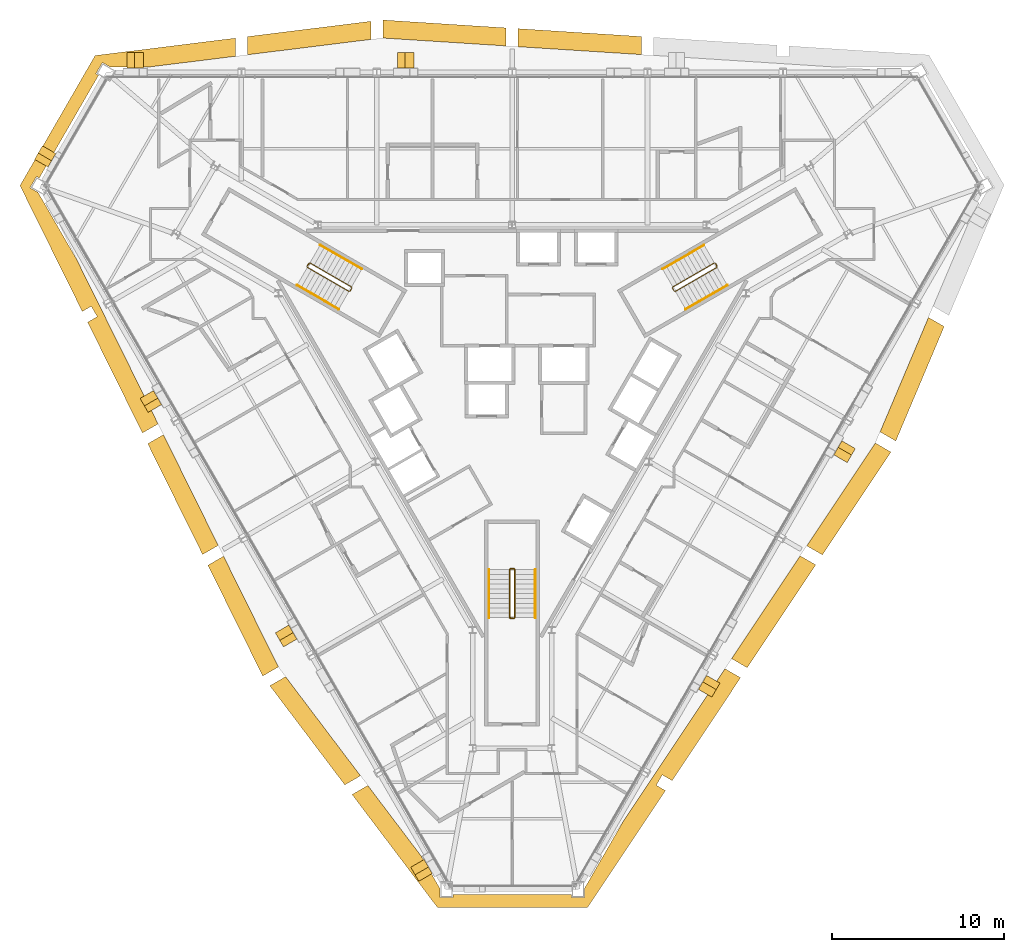
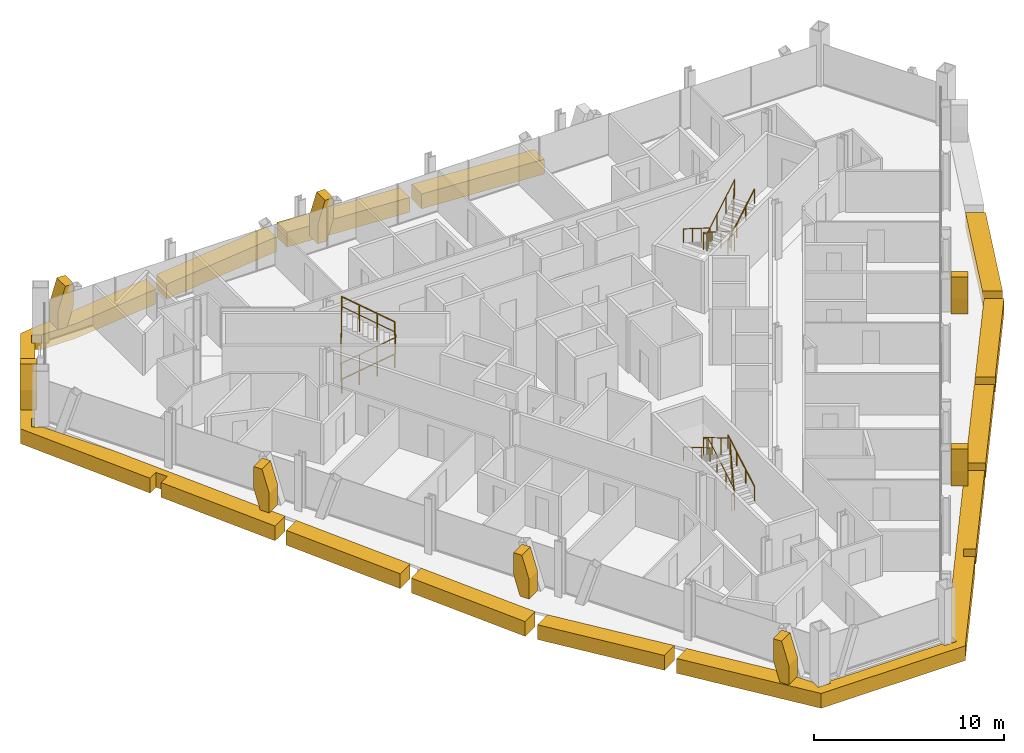
# One storey, part 16 of 17: 19 coverings, 9 railings.
"""IFC4 building model written with IfcOpenShell, lengths in metres."""

from ifc_helpers import new_model, si_unit, direction, frame, origin, origin_2d, place, context, subcontext, project, spatial, polyline, circle, outline, extrude, material, layer, layer_set, type_object, element, save


model = new_model("IFC4")

# Units and contexts
model_context = context("Model", 3, precision=1e-05, world=origin(), true_north=direction((0.0, 1.0)))
body_context = subcontext(model_context, "Body", "Model", "MODEL_VIEW")
ifc_project = project(units=[si_unit("LENGTHUNIT", "METRE"), si_unit("AREAUNIT", "SQUARE_METRE"), si_unit("VOLUMEUNIT", "CUBIC_METRE"), si_unit("PLANEANGLEUNIT", "RADIAN"), si_unit("MASSUNIT", "GRAM", prefix="KILO")], contexts=[model_context])

# Site, building, storey
site_placement = place(None, origin())
site = spatial("IfcSite", under=ifc_project, at=site_placement, CompositionType="ELEMENT")
building_placement = place(site_placement, origin())
building = spatial("IfcBuilding", under=site, at=building_placement, Name="Verrane Prism Tower", CompositionType="ELEMENT")
storey_placement = place(building_placement, frame((0.0, 0.0, 96.39990234375)))
storey = spatial("IfcBuildingStorey", under=building, at=storey_placement, Name="L22", CompositionType="ELEMENT", Elevation=96.39990234375)

# Railings
ifc_material_1 = material(Name="Steel A36 rail and posts, no infill", Category="steel")
railing_type_1 = type_object("IfcRailingType", Name="Stair guard 1100 steel rail and posts", PredefinedType="GUARDRAIL", material=ifc_material_1)
railing_1_placement = place(storey_placement, frame((11.78955078125, 6.97998046875, 0.163818359375)))
element("IfcRailing", 1, at=railing_1_placement, inside=storey, type_object=railing_type_1, Name="Stair 1 guard", PredefinedType="GUARDRAIL", context=body_context, shape_type="SweptSolid", body=[
    extrude(circle(Radius=0.02392578125, at=origin_2d()), frame((0.0, 0.0, 1.076171875), z_axis=(-0.747693913401, -0.431738279637, 0.504535300807), x_axis=(0.500049511043, -0.865996816683, 0.0)), (0.0, 0.0, 1.0), 3.2431640625),
    extrude(circle(Radius=0.02392578125, at=origin_2d()), frame((-2.4248046875, -1.400146484375, 2.71240234375), z_axis=(-0.259601060869, -0.965715946433, 0.0), x_axis=(0.965715946433, -0.259601060869, 0.0)), (0.0, 0.0, 1.0), 0.070556640625),
    extrude(circle(Radius=0.02392578125, at=origin_2d()), frame((-2.443115234375, -1.46826171875, 2.71240234375), z_axis=(0.499158860599, -0.866510491504, 0.0), x_axis=(0.866510491504, 0.499158860599, 0.0)), (0.0, 0.0, 1.0), 0.199951171875),
    extrude(circle(Radius=0.02392578125, at=origin_2d()), frame((-2.34326171875, -1.6416015625, 2.71240234375), z_axis=(0.383552647116, -0.102737316192, 0.917786691313), x_axis=(0.258736085224, 0.965948051503, 0.0)), (0.0, 0.0, 1.0), 0.17822265625),
    extrude(circle(Radius=0.02392578125, at=origin_2d()), frame((-2.27490234375, -1.659912109375, 2.8759765625), z_axis=(0.747665513933, 0.431721881032, 0.504591415616), x_axis=(-0.500049511043, 0.865996816683, 0.0)), (0.0, 0.0, 1.0), 3.2431640625),
    extrude(circle(Radius=0.02392578125, at=origin_2d()), frame((0.14990234375, -0.259765625, 4.51220703125), z_axis=(-0.022593669287, 0.066901613547, -0.997503734436), x_axis=(-0.947430582667, -0.3199613899, 0.0)), (0.0, 0.0, 1.0), 3.609130859375),
    extrude(circle(Radius=0.02392578125, at=origin_2d()), frame((0.068359375, -0.018310546875, 0.912109375), z_axis=(0.499158860599, -0.866510491504, 0.0), x_axis=(0.866510491504, 0.499158860599, 0.0)), (0.0, 0.0, 1.0), 0.199951171875),
    extrude(circle(Radius=0.02099609375, at=origin_2d()), origin(), (0.0, 0.0, 1.0), 1.052001953125),
    extrude(circle(Radius=0.02099609375, at=origin_2d()), frame((-0.808349609375, -0.466796875, 0.54541015625)), (0.0, 0.0, 1.0), 1.052001953125),
    extrude(circle(Radius=0.02099609375, at=origin_2d()), frame((-1.616455078125, -0.933349609375, 1.0908203125)), (0.0, 0.0, 1.0), 1.052001953125),
    extrude(circle(Radius=0.02099609375, at=origin_2d()), frame((-2.4248046875, -1.400146484375, 1.63623046875)), (0.0, 0.0, 1.0), 1.052001953125),
    extrude(circle(Radius=0.02099609375, at=origin_2d()), frame((-2.443115234375, -1.46826171875, 1.63623046875)), (0.0, 0.0, 1.0), 1.052001953125),
    extrude(circle(Radius=0.02099609375, at=origin_2d()), frame((-2.34326171875, -1.6416015625, 1.63623046875)), (0.0, 0.0, 1.0), 1.052001953125),
    extrude(circle(Radius=0.02099609375, at=origin_2d()), frame((-2.27490234375, -1.659912109375, 1.7998046875)), (0.0, 0.0, 1.0), 1.052001953125),
    extrude(circle(Radius=0.02099609375, at=origin_2d()), frame((-1.466552734375, -1.193115234375, 2.34521484375)), (0.0, 0.0, 1.0), 1.052001953125),
    extrude(circle(Radius=0.02099609375, at=origin_2d()), frame((-0.658447265625, -0.7265625, 2.890869140625)), (0.0, 0.0, 1.0), 1.052001953125),
    extrude(circle(Radius=0.02099609375, at=origin_2d()), frame((0.14990234375, -0.259765625, 3.436279296875)), (0.0, 0.0, 1.0), 1.052001953125),
    extrude(circle(Radius=0.02099609375, at=origin_2d()), frame((0.12939453125, -0.199462890625, 2.5361328125)), (0.0, 0.0, 1.0), 1.052001953125),
    extrude(circle(Radius=0.02099609375, at=origin_2d()), frame((0.109130859375, -0.13916015625, 1.63623046875)), (0.0, 0.0, 1.0), 1.052001953125),
    extrude(circle(Radius=0.02099609375, at=origin_2d()), frame((0.0888671875, -0.07861328125, 0.736328125)), (0.0, 0.0, 1.0), 1.052001953125),
    extrude(circle(Radius=0.02099609375, at=origin_2d()), frame((0.068359375, -0.018310546875, -0.163818359375)), (0.0, 0.0, 1.0), 1.052001953125),
    extrude(circle(Radius=0.02099609375, at=origin_2d()), frame((0.168212890625, -0.191650390625, -0.163818359375)), (0.0, 0.0, 1.0), 1.052001953125),
])
railing_2_placement = place(storey_placement, frame((-11.939453125, 6.72021484375, 0.163818359375)))
element("IfcRailing", 2, at=railing_2_placement, inside=storey, type_object=railing_type_1, Name="Stair 2 guard", PredefinedType="GUARDRAIL", context=body_context, shape_type="SweptSolid", body=[
    extrude(circle(Radius=0.02392578125, at=origin_2d()), frame((0.0, 0.0, 1.076171875), z_axis=(0.747693913401, -0.431738279637, 0.504535300807), x_axis=(0.500049511043, 0.865996816683, 0.0)), (0.0, 0.0, 1.0), 3.2431640625),
    extrude(circle(Radius=0.02392578125, at=origin_2d()), frame((2.4248046875, -1.400146484375, 2.71240234375), z_axis=(0.965948051503, 0.258736085224, 0.0), x_axis=(-0.258736085224, 0.965948051503, 0.0)), (0.0, 0.0, 1.0), 0.07080078125),
    extrude(circle(Radius=0.02392578125, at=origin_2d()), frame((2.4931640625, -1.3818359375, 2.71240234375), z_axis=(0.499158860599, 0.866510491504, 0.0), x_axis=(-0.866510491504, 0.499158860599, 0.0)), (0.0, 0.0, 1.0), 0.199951171875),
    extrude(circle(Radius=0.02392578125, at=origin_2d()), frame((2.593017578125, -1.20849609375, 2.71240234375), z_axis=(-0.102791240646, 0.382383415203, 0.918268416436), x_axis=(-0.965715946433, -0.259601060869, 0.0)), (0.0, 0.0, 1.0), 0.17822265625),
    extrude(circle(Radius=0.02392578125, at=origin_2d()), frame((2.57470703125, -1.140380859375, 2.8759765625), z_axis=(-0.747665513933, 0.431721881032, 0.504591415616), x_axis=(-0.500049511043, -0.865996816683, 0.0)), (0.0, 0.0, 1.0), 3.2431640625),
    extrude(circle(Radius=0.02392578125, at=origin_2d()), frame((0.14990234375, 0.259765625, 4.51220703125), z_axis=(-0.046607763296, -0.053101733218, -0.99750083826), x_axis=(0.751567565678, -0.659656118156, 0.0)), (0.0, 0.0, 1.0), 3.609130859375),
    extrude(circle(Radius=0.02392578125, at=origin_2d()), frame((-0.018310546875, 0.068115234375, 0.912109375), z_axis=(0.499158860599, 0.866510491504, 0.0), x_axis=(-0.866510491504, 0.499158860599, 0.0)), (0.0, 0.0, 1.0), 0.199951171875),
    extrude(circle(Radius=0.02099609375, at=origin_2d()), origin(), (0.0, 0.0, 1.0), 1.052001953125),
    extrude(circle(Radius=0.02099609375, at=origin_2d()), frame((0.808349609375, -0.466796875, 0.54541015625)), (0.0, 0.0, 1.0), 1.052001953125),
    extrude(circle(Radius=0.02099609375, at=origin_2d()), frame((1.616455078125, -0.933349609375, 1.0908203125)), (0.0, 0.0, 1.0), 1.052001953125),
    extrude(circle(Radius=0.02099609375, at=origin_2d()), frame((2.4248046875, -1.400146484375, 1.63623046875)), (0.0, 0.0, 1.0), 1.052001953125),
    extrude(circle(Radius=0.02099609375, at=origin_2d()), frame((2.4931640625, -1.3818359375, 1.63623046875)), (0.0, 0.0, 1.0), 1.052001953125),
    extrude(circle(Radius=0.02099609375, at=origin_2d()), frame((2.593017578125, -1.20849609375, 1.63623046875)), (0.0, 0.0, 1.0), 1.052001953125),
    extrude(circle(Radius=0.02099609375, at=origin_2d()), frame((2.57470703125, -1.140380859375, 1.7998046875)), (0.0, 0.0, 1.0), 1.052001953125),
    extrude(circle(Radius=0.02099609375, at=origin_2d()), frame((1.766357421875, -0.673583984375, 2.34521484375)), (0.0, 0.0, 1.0), 1.052001953125),
    extrude(circle(Radius=0.02099609375, at=origin_2d()), frame((0.958251953125, -0.20703125, 2.890869140625)), (0.0, 0.0, 1.0), 1.052001953125),
    extrude(circle(Radius=0.02099609375, at=origin_2d()), frame((0.14990234375, 0.259765625, 3.436279296875)), (0.0, 0.0, 1.0), 1.052001953125),
    extrude(circle(Radius=0.02099609375, at=origin_2d()), frame((0.10791015625, 0.2119140625, 2.5361328125)), (0.0, 0.0, 1.0), 1.052001953125),
    extrude(circle(Radius=0.02099609375, at=origin_2d()), frame((0.06591796875, 0.1640625, 1.63623046875)), (0.0, 0.0, 1.0), 1.052001953125),
    extrude(circle(Radius=0.02099609375, at=origin_2d()), frame((0.023681640625, 0.115966796875, 0.736328125)), (0.0, 0.0, 1.0), 1.052001953125),
    extrude(circle(Radius=0.02099609375, at=origin_2d()), frame((-0.018310546875, 0.068115234375, -0.163818359375)), (0.0, 0.0, 1.0), 1.052001953125),
    extrude(circle(Radius=0.02099609375, at=origin_2d()), frame((0.08154296875, 0.241455078125, -0.163818359375)), (0.0, 0.0, 1.0), 1.052001953125),
])
railing_3_placement = place(storey_placement, frame((0.14990234375, -13.699951171875, 0.163818359375)))
element("IfcRailing", 3, at=railing_3_placement, inside=storey, type_object=railing_type_1, Name="Stair 3 guard", PredefinedType="GUARDRAIL", context=body_context, shape_type="SweptSolid", body=[
    extrude(circle(Radius=0.02392578125, at=origin_2d()), frame((0.0, 0.0, 1.076171875), z_axis=(0.0, 0.863393664356, 0.504530851732), x_axis=(-1.0, 0.0, 0.0)), (0.0, 0.0, 1.0), 3.2431640625),
    extrude(circle(Radius=0.02392578125, at=origin_2d()), frame((0.0, 2.800048828125, 2.71240234375), z_axis=(-0.707106781187, 0.707106781187, 0.0), x_axis=(-0.707106781187, -0.707106781187, 0.0)), (0.0, 0.0, 1.0), 0.0703125),
    extrude(circle(Radius=0.02392578125, at=origin_2d()), frame((-0.0498046875, 2.849853515625, 2.71240234375), z_axis=(-1.0, 0.0, 0.0), x_axis=(0.0, -1.0, 0.0)), (0.0, 0.0, 1.0), 0.2001953125),
    extrude(circle(Radius=0.02392578125, at=origin_2d()), frame((-0.25, 2.849853515625, 2.71240234375), z_axis=(-0.279653641804, -0.279653641804, 0.918470294159), x_axis=(0.707106781187, -0.707106781187, 0.0)), (0.0, 0.0, 1.0), 0.177978515625),
    extrude(circle(Radius=0.02392578125, at=origin_2d()), frame((-0.2998046875, 2.800048828125, 2.8759765625), z_axis=(0.0, -0.863360870873, 0.504586966384), x_axis=(1.0, 0.0, 0.0)), (0.0, 0.0, 1.0), 3.2431640625),
    extrude(circle(Radius=0.02392578125, at=origin_2d()), frame((-0.2998046875, 0.0, 4.51220703125), z_axis=(0.069269067181, -0.013867342551, -0.997501625634), x_axis=(0.196300278283, 0.98054382908, 0.0)), (0.0, 0.0, 1.0), 3.609130859375),
    extrude(circle(Radius=0.02392578125, at=origin_2d()), frame((-0.0498046875, -0.050048828125, 0.912109375), z_axis=(-1.0, 0.0, 0.0), x_axis=(0.0, -1.0, 0.0)), (0.0, 0.0, 1.0), 0.2001953125),
    extrude(circle(Radius=0.02099609375, at=origin_2d()), origin(), (0.0, 0.0, 1.0), 1.052001953125),
    extrude(circle(Radius=0.02099609375, at=origin_2d()), frame((0.0, 0.933349609375, 0.54541015625)), (0.0, 0.0, 1.0), 1.052001953125),
    extrude(circle(Radius=0.02099609375, at=origin_2d()), frame((0.0, 1.86669921875, 1.0908203125)), (0.0, 0.0, 1.0), 1.052001953125),
    extrude(circle(Radius=0.02099609375, at=origin_2d()), frame((0.0, 2.800048828125, 1.63623046875)), (0.0, 0.0, 1.0), 1.052001953125),
    extrude(circle(Radius=0.02099609375, at=origin_2d()), frame((-0.0498046875, 2.849853515625, 1.63623046875)), (0.0, 0.0, 1.0), 1.052001953125),
    extrude(circle(Radius=0.02099609375, at=origin_2d()), frame((-0.25, 2.849853515625, 1.63623046875)), (0.0, 0.0, 1.0), 1.052001953125),
    extrude(circle(Radius=0.02099609375, at=origin_2d()), frame((-0.2998046875, 2.800048828125, 1.7998046875)), (0.0, 0.0, 1.0), 1.052001953125),
    extrude(circle(Radius=0.02099609375, at=origin_2d()), frame((-0.2998046875, 1.86669921875, 2.34521484375)), (0.0, 0.0, 1.0), 1.052001953125),
    extrude(circle(Radius=0.02099609375, at=origin_2d()), frame((-0.2998046875, 0.933349609375, 2.890869140625)), (0.0, 0.0, 1.0), 1.052001953125),
    extrude(circle(Radius=0.02099609375, at=origin_2d()), frame((-0.2998046875, 0.0, 3.436279296875)), (0.0, 0.0, 1.0), 1.052001953125),
    extrude(circle(Radius=0.02099609375, at=origin_2d()), frame((-0.2373046875, -0.012451171875, 2.5361328125)), (0.0, 0.0, 1.0), 1.052001953125),
    extrude(circle(Radius=0.02099609375, at=origin_2d()), frame((-0.1748046875, -0.02490234375, 1.63623046875)), (0.0, 0.0, 1.0), 1.052001953125),
    extrude(circle(Radius=0.02099609375, at=origin_2d()), frame((-0.1123046875, -0.03759765625, 0.736328125)), (0.0, 0.0, 1.0), 1.052001953125),
    extrude(circle(Radius=0.02099609375, at=origin_2d()), frame((-0.0498046875, -0.050048828125, -0.163818359375)), (0.0, 0.0, 1.0), 1.052001953125),
    extrude(circle(Radius=0.02099609375, at=origin_2d()), frame((-0.25, -0.050048828125, -0.163818359375)), (0.0, 0.0, 1.0), 1.052001953125),
])
ifc_material_2 = material(Name="Steel A36 tube", Category="steel")
railing_type_2 = type_object("IfcRailingType", Name="Stair handrail 900 steel tube", PredefinedType="HANDRAIL", material=ifc_material_2)
railing_4_placement = place(storey_placement, frame((11.189453125, 8.01904296875, 0.163818359375)))
element("IfcRailing", 4, at=railing_4_placement, inside=storey, type_object=railing_type_2, Name="Stair 1 handrail", PredefinedType="HANDRAIL", context=body_context, shape_type="SweptSolid", body=[
    extrude(circle(Radius=0.02392578125, at=origin_2d()), frame((0.0, 0.0, 0.8759765625), z_axis=(-0.74771821388, -0.431677027627, 0.504551698492), x_axis=(0.49998411664, -0.866034573852, 0.0)), (0.0, 0.0, 1.0), 3.242919921875),
    extrude(circle(Radius=0.02099609375, at=origin_2d()), origin(), (0.0, 0.0, 1.0), 0.851806640625),
    extrude(circle(Radius=0.02099609375, at=origin_2d()), frame((-0.808349609375, -0.466552734375, 0.54541015625)), (0.0, 0.0, 1.0), 0.851806640625),
    extrude(circle(Radius=0.02099609375, at=origin_2d()), frame((-1.616455078125, -0.933349609375, 1.0908203125)), (0.0, 0.0, 1.0), 0.851806640625),
    extrude(circle(Radius=0.02099609375, at=origin_2d()), frame((-2.4248046875, -1.39990234375, 1.63623046875)), (0.0, 0.0, 1.0), 0.851806640625),
])
railing_5_placement = place(storey_placement, frame((10.11474609375, 4.28076171875, 1.963623046875)))
element("IfcRailing", 5, at=railing_5_placement, inside=storey, type_object=railing_type_2, Name="Stair 1 handrail", PredefinedType="HANDRAIL", context=body_context, shape_type="SweptSolid", body=[
    extrude(circle(Radius=0.02392578125, at=origin_2d()), frame((0.0, 0.0, 0.8759765625), z_axis=(0.747665513933, 0.431721881032, 0.504591415616), x_axis=(-0.500049511043, 0.865996816683, 0.0)), (0.0, 0.0, 1.0), 3.2431640625),
    extrude(circle(Radius=0.02099609375, at=origin_2d()), origin(), (0.0, 0.0, 1.0), 0.851806640625),
    extrude(circle(Radius=0.02099609375, at=origin_2d()), frame((0.808349609375, 0.466796875, 0.54541015625)), (0.0, 0.0, 1.0), 0.851806640625),
    extrude(circle(Radius=0.02099609375, at=origin_2d()), frame((1.616455078125, 0.933349609375, 1.091064453125)), (0.0, 0.0, 1.0), 0.851806640625),
    extrude(circle(Radius=0.02099609375, at=origin_2d()), frame((2.4248046875, 1.400146484375, 1.636474609375)), (0.0, 0.0, 1.0), 0.851806640625),
])
railing_6_placement = place(storey_placement, frame((-12.53955078125, 5.680908203125, 0.163818359375)))
element("IfcRailing", 6, at=railing_6_placement, inside=storey, type_object=railing_type_2, Name="Stair 2 handrail", PredefinedType="HANDRAIL", context=body_context, shape_type="SweptSolid", body=[
    extrude(circle(Radius=0.02392578125, at=origin_2d()), frame((0.0, 0.0, 0.8759765625), z_axis=(0.747693913401, -0.431738279637, 0.504535300807), x_axis=(0.500049511043, 0.865996816683, 0.0)), (0.0, 0.0, 1.0), 3.2431640625),
    extrude(circle(Radius=0.02099609375, at=origin_2d()), origin(), (0.0, 0.0, 1.0), 0.851806640625),
    extrude(circle(Radius=0.02099609375, at=origin_2d()), frame((0.808349609375, -0.466796875, 0.54541015625)), (0.0, 0.0, 1.0), 0.851806640625),
    extrude(circle(Radius=0.02099609375, at=origin_2d()), frame((1.616455078125, -0.933349609375, 1.0908203125)), (0.0, 0.0, 1.0), 0.851806640625),
    extrude(circle(Radius=0.02099609375, at=origin_2d()), frame((2.4248046875, -1.400146484375, 1.63623046875)), (0.0, 0.0, 1.0), 0.851806640625),
])
railing_7_placement = place(storey_placement, frame((-8.7646484375, 6.619140625, 1.963623046875)))
element("IfcRailing", 7, at=railing_7_placement, inside=storey, type_object=railing_type_2, Name="Stair 2 handrail", PredefinedType="HANDRAIL", context=body_context, shape_type="SweptSolid", body=[
    extrude(circle(Radius=0.02392578125, at=origin_2d()), frame((0.0, 0.0, 0.8759765625), z_axis=(-0.747689811644, 0.431660630283, 0.504607813879), x_axis=(-0.49998411664, -0.866034573852, 0.0)), (0.0, 0.0, 1.0), 3.2431640625),
    extrude(circle(Radius=0.02099609375, at=origin_2d()), origin(), (0.0, 0.0, 1.0), 0.851806640625),
    extrude(circle(Radius=0.02099609375, at=origin_2d()), frame((-0.808349609375, 0.466552734375, 0.54541015625)), (0.0, 0.0, 1.0), 0.851806640625),
    extrude(circle(Radius=0.02099609375, at=origin_2d()), frame((-1.616455078125, 0.933349609375, 1.091064453125)), (0.0, 0.0, 1.0), 0.851806640625),
    extrude(circle(Radius=0.02099609375, at=origin_2d()), frame((-2.4248046875, 1.39990234375, 1.636474609375)), (0.0, 0.0, 1.0), 0.851806640625),
])
railing_8_placement = place(storey_placement, frame((1.35009765625, -13.699951171875, 0.163818359375)))
element("IfcRailing", 8, at=railing_8_placement, inside=storey, type_object=railing_type_2, Name="Stair 3 handrail", PredefinedType="HANDRAIL", context=body_context, shape_type="SweptSolid", body=[
    extrude(circle(Radius=0.02392578125, at=origin_2d()), frame((0.0, 0.0, 0.8759765625), z_axis=(0.0, 0.863393664356, 0.504530851732), x_axis=(-1.0, 0.0, 0.0)), (0.0, 0.0, 1.0), 3.2431640625),
    extrude(circle(Radius=0.02099609375, at=origin_2d()), origin(), (0.0, 0.0, 1.0), 0.851806640625),
    extrude(circle(Radius=0.02099609375, at=origin_2d()), frame((0.0, 0.933349609375, 0.54541015625)), (0.0, 0.0, 1.0), 0.851806640625),
    extrude(circle(Radius=0.02099609375, at=origin_2d()), frame((0.0, 1.86669921875, 1.0908203125)), (0.0, 0.0, 1.0), 0.851806640625),
    extrude(circle(Radius=0.02099609375, at=origin_2d()), frame((0.0, 2.800048828125, 1.63623046875)), (0.0, 0.0, 1.0), 0.851806640625),
])
railing_9_placement = place(storey_placement, frame((-1.35009765625, -10.89990234375, 1.963623046875)))
element("IfcRailing", 9, at=railing_9_placement, inside=storey, type_object=railing_type_2, Name="Stair 3 handrail", PredefinedType="HANDRAIL", context=body_context, shape_type="SweptSolid", body=[
    extrude(circle(Radius=0.02392578125, at=origin_2d()), frame((0.0, 0.0, 0.8759765625), z_axis=(0.0, -0.863360870873, 0.504586966384), x_axis=(1.0, 0.0, 0.0)), (0.0, 0.0, 1.0), 3.2431640625),
    extrude(circle(Radius=0.02099609375, at=origin_2d()), origin(), (0.0, 0.0, 1.0), 0.851806640625),
    extrude(circle(Radius=0.02099609375, at=origin_2d()), frame((0.0, -0.933349609375, 0.54541015625)), (0.0, 0.0, 1.0), 0.851806640625),
    extrude(circle(Radius=0.02099609375, at=origin_2d()), frame((0.0, -1.86669921875, 1.091064453125)), (0.0, 0.0, 1.0), 0.851806640625),
    extrude(circle(Radius=0.02099609375, at=origin_2d()), frame((0.0, -2.800048828125, 1.636474609375)), (0.0, 0.0, 1.0), 0.851806640625),
])

# Coverings
ifc_material_3 = material(Name="Warm limestone cladding", Category="masonry")
ifc_layer_1 = layer(ifc_material_3, 0.89990234375)
ifc_layer_set_1 = layer_set([ifc_layer_1], Name="Stone brace fin 900")
covering_type_1 = type_object("IfcCoveringType", Name="Stone brace fin 900", PredefinedType="CLADDING", material=ifc_layer_set_1)
covering_1_placement = place(storey_placement, frame((-6.670166015625, 18.7939453125, 0.0), z_axis=(0.0, 0.0, 1.0), x_axis=(1.0, 0.0, 0.0)))
element("IfcCovering", 10, at=covering_1_placement, inside=storey, type_object=covering_type_1, Name="Stone brace fin N4 L22", PredefinedType="CLADDING", context=body_context, shape_type="SweptSolid", body=[
    extrude(outline(polyline([(0.94189453125, 2.650146484375), (0.43603515625, 2.650146484375), (0.0, 1.257568359375), (0.0, 0.0), (0.545654296875, 0.0), (0.94189453125, 1.265625), (0.94189453125, 2.650146484375)])), frame((0.0, 0.449951171875, 0.0), z_axis=(0.0, -1.0, 0.0), x_axis=(1.0, 0.0, 0.0)), (0.0, 0.0, 1.0), 0.89990234375),
])
covering_2_placement = place(storey_placement, frame((-22.44189453125, 18.7939453125, 0.0), z_axis=(0.0, 0.0, 1.0), x_axis=(1.0, 0.0, 0.0)))
element("IfcCovering", 11, at=covering_2_placement, inside=storey, type_object=covering_type_1, Name="Stone brace fin N6 L22", PredefinedType="CLADDING", context=body_context, shape_type="SweptSolid", body=[
    extrude(outline(polyline([(0.940673828125, 2.650146484375), (0.435546875, 2.650146484375), (0.0, 1.257568359375), (0.0, 0.0), (0.544921875, 0.0), (0.940673828125, 1.265625), (0.940673828125, 2.650146484375)])), frame((0.0, 0.449951171875, 0.0), z_axis=(0.0, -1.0, 0.0), x_axis=(1.0, 0.0, 0.0)), (0.0, 0.0, 1.0), 0.89990234375),
])
covering_3_placement = place(storey_placement, frame((-20.828857421875, -1.505859375, 0.0), z_axis=(0.0, 0.0, 1.0), x_axis=(-0.499849697337, 0.866112163679, 0.0)))
element("IfcCovering", 12, at=covering_3_placement, inside=storey, type_object=covering_type_1, Name="Stone brace fin SW2 L22", PredefinedType="CLADDING", context=body_context, shape_type="SweptSolid", body=[
    extrude(outline(polyline([(0.941162109375, 2.650146484375), (0.435791015625, 2.650146484375), (0.0, 1.257568359375), (0.0, 0.0), (0.545166015625, 0.0), (0.941162109375, 1.265625), (0.941162109375, 2.650146484375)])), frame((0.0, 0.449951171875, 0.0), z_axis=(0.0, -1.0, 0.0), x_axis=(1.0, 0.0, 0.0)), (0.0, 0.0, 1.0), 0.89990234375),
])
covering_4_placement = place(storey_placement, frame((-12.9404296875, -15.174560546875, 0.0), z_axis=(0.0, 0.0, 1.0), x_axis=(-0.500066171168, 0.865987196472, 0.0)))
element("IfcCovering", 13, at=covering_4_placement, inside=storey, type_object=covering_type_1, Name="Stone brace fin SW4 L22", PredefinedType="CLADDING", context=body_context, shape_type="SweptSolid", body=[
    extrude(outline(polyline([(0.94287109375, 2.650146484375), (0.4365234375, 2.650146484375), (0.0, 1.257568359375), (0.0, 0.0), (0.546142578125, 0.0), (0.94287109375, 1.265625), (0.94287109375, 2.650146484375)])), frame((0.0, 0.449951171875, 0.0), z_axis=(0.0, -1.0, 0.0), x_axis=(1.0, 0.0, 0.0)), (0.0, 0.0, 1.0), 0.89990234375),
])
covering_5_placement = place(storey_placement, frame((-5.050048828125, -28.83642578125, 0.0), z_axis=(0.0, 0.0, 1.0), x_axis=(-0.500627425912, 0.865662856096, 0.0)))
element("IfcCovering", 14, at=covering_5_placement, inside=storey, type_object=covering_type_1, Name="Stone brace fin SW6 L22", PredefinedType="CLADDING", context=body_context, shape_type="SweptSolid", body=[
    extrude(outline(polyline([(0.94189453125, 2.650146484375), (0.43603515625, 2.650146484375), (0.0, 1.257568359375), (0.0, 0.0), (0.545654296875, 0.0), (0.94189453125, 1.265625), (0.94189453125, 2.650146484375)])), frame((0.0, 0.449951171875, 0.0), z_axis=(0.0, -1.0, 0.0), x_axis=(1.0, 0.0, 0.0)), (0.0, 0.0, 1.0), 0.89990234375),
])
for number, where, z_axis, x_axis, name in (
    (15, (11.720703125, -17.28759765625, 0.0), (0.0, 0.0, 1.0), (-0.499542813835, -0.866289199486, 0.0), "Stone brace fin SE2 L22"),
    (16, (19.610595703125, -3.61767578125, 0.0), (0.0, 0.0, 1.0), (-0.499542813835, -0.866289199486, 0.0), "Stone brace fin SE4 L22"),
):
    element("IfcCovering", number, at=place(storey_placement, frame(where, z_axis=z_axis, x_axis=x_axis)), inside=storey, type_object=covering_type_1, Name=name, PredefinedType="CLADDING", context=body_context, shape_type="SweptSolid", body=[
        extrude(outline(polyline([(0.941162109375, 2.650146484375), (0.435791015625, 2.650146484375), (0.0, 1.257568359375), (0.0, 0.0), (0.545166015625, 0.0), (0.941162109375, 1.265625), (0.941162109375, 2.650146484375)])), frame((0.0, 0.449951171875, 0.0), z_axis=(0.0, -1.0, 0.0), x_axis=(1.0, 0.0, 0.0)), (0.0, 0.0, 1.0), 0.89990234375),
    ])
covering_6_placement = place(storey_placement, frame((-27.449462890625, 12.79150390625, 0.0), z_axis=(0.0, 0.0, 1.0), x_axis=(0.500762523006, 0.8655847131, 0.0)))
element("IfcCovering", 17, at=covering_6_placement, inside=storey, type_object=covering_type_1, Name="Stone brace fin NW1 L22", PredefinedType="CLADDING", context=body_context, shape_type="SweptSolid", body=[
    extrude(outline(polyline([(0.9140625, 2.650146484375), (0.4248046875, 2.650146484375), (0.0, 1.2548828125), (0.0, 0.0), (0.53125, 0.0), (0.9140625, 1.258056640625), (0.9140625, 2.650146484375)])), frame((0.0, 0.449951171875, 0.0), z_axis=(0.0, -1.0, 0.0), x_axis=(1.0, 0.0, 0.0)), (0.0, 0.0, 1.0), 0.89990234375),
])
ifc_material_4 = material(Name="Warm limestone cladding", Category="masonry")
ifc_layer_2 = layer(ifc_material_4, 0.449951171875)
ifc_layer_set_2 = layer_set([ifc_layer_2], Name="Stone spandrel band 450")
covering_type_2 = type_object("IfcCoveringType", Name="Stone spandrel band 450", PredefinedType="CLADDING", material=ifc_layer_set_2)
covering_7_placement = place(storey_placement, frame((0.0, 0.0, -0.949951171875)))
element("IfcCovering", 18, at=covering_7_placement, inside=storey, type_object=covering_type_2, Name="Stone spandrel band L22 part 1", PredefinedType="CLADDING", context=body_context, shape_type="SweptSolid", body=[
    extrude(outline(polyline([(4.397216796875, -30.587646484375), (8.93310546875, -23.777099609375), (8.39794921875, -23.46826171875), (8.748046875, -22.862060546875), (9.32177734375, -23.193359375), (13.314208984375, -17.198974609375), (12.403076171875, -16.6728515625), (6.4375, -25.630126953125), (4.2099609375, -29.488037109375), (4.2099609375, -30.02001953125), (3.449951171875, -30.02001953125), (3.449951171875, -29.837646484375), (-1.63232421875, -29.837646484375), (-1.645263671875, -29.853515625), (-1.664794921875, -29.837646484375), (-1.732177734375, -29.837646484375), (-1.732177734375, -29.840087890625), (-1.79541015625, -29.840087890625), (-1.79541015625, -29.837646484375), (-2.5400390625, -29.837646484375), (-2.5400390625, -29.840087890625), (-2.64501953125, -29.840087890625), (-2.64501953125, -29.837646484375), (-2.826416015625, -29.837646484375), (-2.826416015625, -29.840087890625), (-2.8896484375, -29.840087890625), (-2.8896484375, -29.837646484375), (-3.449951171875, -29.837646484375), (-3.449951171875, -30.02001953125), (-4.2099609375, -30.02001953125), (-4.2099609375, -29.488037109375), (-5.301513671875, -27.597412109375), (-8.415283203125, -23.478271484375), (-9.33154296875, -24.00732421875), (-4.357421875, -30.587646484375), (4.397216796875, -30.587646484375)])), origin(), (0.0, 0.0, 1.0), 0.949951171875),
])
covering_8_placement = place(storey_placement, frame((0.0, 0.0, -0.949951171875)))
element("IfcCovering", 19, at=covering_8_placement, inside=storey, type_object=covering_type_2, Name="Stone spandrel band L22 part 3", PredefinedType="CLADDING", context=body_context, shape_type="SweptSolid", body=[
    extrude(outline(polyline([(-27.256591796875, 12.47021484375), (-27.254638671875, 12.468994140625), (-27.163818359375, 12.626220703125), (-27.165771484375, 12.62744140625), (-27.113037109375, 12.71826171875), (-27.111083984375, 12.71728515625), (-26.73828125, 13.363037109375), (-26.73974609375, 13.364013671875), (-26.7080078125, 13.418701171875), (-26.70654296875, 13.41796875), (-26.672607421875, 13.476806640625), (-26.67626953125, 13.50048828125), (-26.6572265625, 13.503662109375), (-24.11181640625, 17.912109375), (-24.265625, 18.0009765625), (-23.8857421875, 18.6591796875), (-23.419677734375, 18.389892578125), (-21.249267578125, 18.389892578125), (-16.125244140625, 19.02685546875), (-16.125244140625, 20.0849609375), (-24.310791015625, 19.0673828125), (-28.688232421875, 11.485595703125), (-25.05810546875, 4.15234375), (-24.53369140625, 4.455078125), (-24.18359375, 3.84912109375), (-24.7470703125, 3.523681640625), (-21.5517578125, -2.930908203125), (-20.640625, -2.40478515625), (-25.4150390625, 7.239990234375), (-27.638427734375, 11.091064453125), (-28.105712890625, 11.36083984375), (-27.7255859375, 12.01904296875), (-27.567138671875, 11.927490234375), (-27.2861328125, 12.4140625), (-27.288330078125, 12.415283203125), (-27.256591796875, 12.47021484375)])), origin(), (0.0, 0.0, 1.0), 0.949951171875),
])
covering_9_placement = place(storey_placement, frame((0.0, 0.0, -0.949951171875)))
element("IfcCovering", 20, at=covering_9_placement, inside=storey, type_object=covering_type_2, Name="Stone spandrel band L22 part 4", PredefinedType="CLADDING", context=body_context, shape_type="SweptSolid", body=[
    extrude(outline(polyline([(-17.134033203125, -9.48828125), (-20.329345703125, -3.033447265625), (-21.240478515625, -3.5595703125), (-18.04541015625, -10.014404296875), (-17.134033203125, -9.48828125)])), origin(), (0.0, 0.0, 1.0), 0.949951171875),
])
covering_10_placement = place(storey_placement, frame((0.0, 0.0, -0.949951171875)))
element("IfcCovering", 21, at=covering_10_placement, inside=storey, type_object=covering_type_2, Name="Stone spandrel band L22 part 5", PredefinedType="CLADDING", context=body_context, shape_type="SweptSolid", body=[
    extrude(outline(polyline([(-13.627685546875, -16.57177734375), (-16.822998046875, -10.116943359375), (-17.734130859375, -10.64306640625), (-14.538818359375, -17.09765625), (-13.627685546875, -16.57177734375)])), origin(), (0.0, 0.0, 1.0), 0.949951171875),
])
covering_11_placement = place(storey_placement, frame((0.0, 0.0, -0.949951171875)))
element("IfcCovering", 22, at=covering_11_placement, inside=storey, type_object=covering_type_2, Name="Stone spandrel band L22 part 6", PredefinedType="CLADDING", context=body_context, shape_type="SweptSolid", body=[
    extrude(outline(polyline([(-9.7568359375, -23.444580078125), (-8.840576171875, -22.91552734375), (-13.2080078125, -17.1376953125), (-14.124267578125, -17.666748046875), (-9.7568359375, -23.444580078125)])), origin(), (0.0, 0.0, 1.0), 0.949951171875),
])
covering_12_placement = place(storey_placement, frame((0.0, 0.0, -0.949951171875)))
element("IfcCovering", 23, at=covering_12_placement, inside=storey, type_object=covering_type_2, Name="Stone spandrel band L22 part 7", PredefinedType="CLADDING", context=body_context, shape_type="SweptSolid", body=[
    extrude(outline(polyline([(17.6953125, -10.62060546875), (16.7841796875, -10.094482421875), (12.791748046875, -16.089111328125), (13.702880859375, -16.614990234375), (17.6953125, -10.62060546875)])), origin(), (0.0, 0.0, 1.0), 0.949951171875),
])
covering_13_placement = place(storey_placement, frame((0.0, 0.0, -0.949951171875)))
element("IfcCovering", 24, at=covering_13_placement, inside=storey, type_object=covering_type_2, Name="Stone spandrel band L22 part 8", PredefinedType="CLADDING", context=body_context, shape_type="SweptSolid", body=[
    extrude(outline(polyline([(21.165283203125, -3.51611328125), (17.173095703125, -9.5107421875), (18.084228515625, -10.036865234375), (22.07666015625, -4.042236328125), (21.165283203125, -3.51611328125)])), origin(), (0.0, 0.0, 1.0), 0.949951171875),
])
covering_14_placement = place(storey_placement, frame((0.0, 0.0, -0.949951171875)))
element("IfcCovering", 25, at=covering_14_placement, inside=storey, type_object=covering_type_2, Name="Stone spandrel band L22 part 9", PredefinedType="CLADDING", context=body_context, shape_type="SweptSolid", body=[
    extrude(outline(polyline([(24.265625, 3.801513671875), (21.445556640625, -2.86962890625), (22.362060546875, -3.398681640625), (25.181884765625, 3.272705078125), (24.265625, 3.801513671875)])), origin(), (0.0, 0.0, 1.0), 0.949951171875),
])
covering_15_placement = place(storey_placement, frame((0.0, 0.0, -0.949951171875)))
element("IfcCovering", 26, at=covering_15_placement, inside=storey, type_object=covering_type_2, Name="Stone spandrel band L22 part 10", PredefinedType="CLADDING", context=body_context, shape_type="SweptSolid", body=[
    extrude(outline(polyline([(0.35009765625, 19.582763671875), (7.53759765625, 19.12255859375), (7.53759765625, 20.1748046875), (0.35009765625, 20.635009765625), (0.35009765625, 19.582763671875)])), origin(), (0.0, 0.0, 1.0), 0.949951171875),
])
covering_16_placement = place(storey_placement, frame((0.0, 0.0, -0.949951171875)))
element("IfcCovering", 27, at=covering_16_placement, inside=storey, type_object=covering_type_2, Name="Stone spandrel band L22 part 11", PredefinedType="CLADDING", context=body_context, shape_type="SweptSolid", body=[
    extrude(outline(polyline([(-7.53759765625, 21.139892578125), (-7.53759765625, 20.087890625), (-0.35009765625, 19.627685546875), (-0.35009765625, 20.6796875), (-7.53759765625, 21.139892578125)])), origin(), (0.0, 0.0, 1.0), 0.949951171875),
])
covering_17_placement = place(storey_placement, frame((0.0, 0.0, -0.949951171875)))
element("IfcCovering", 28, at=covering_17_placement, inside=storey, type_object=covering_type_2, Name="Stone spandrel band L22 part 12", PredefinedType="CLADDING", context=body_context, shape_type="SweptSolid", body=[
    extrude(outline(polyline([(-15.42529296875, 20.172119140625), (-15.42529296875, 19.114013671875), (-8.237548828125, 20.00732421875), (-8.237548828125, 21.0654296875), (-15.42529296875, 20.172119140625)])), origin(), (0.0, 0.0, 1.0), 0.949951171875),
])

save(model, "model.ifc")
